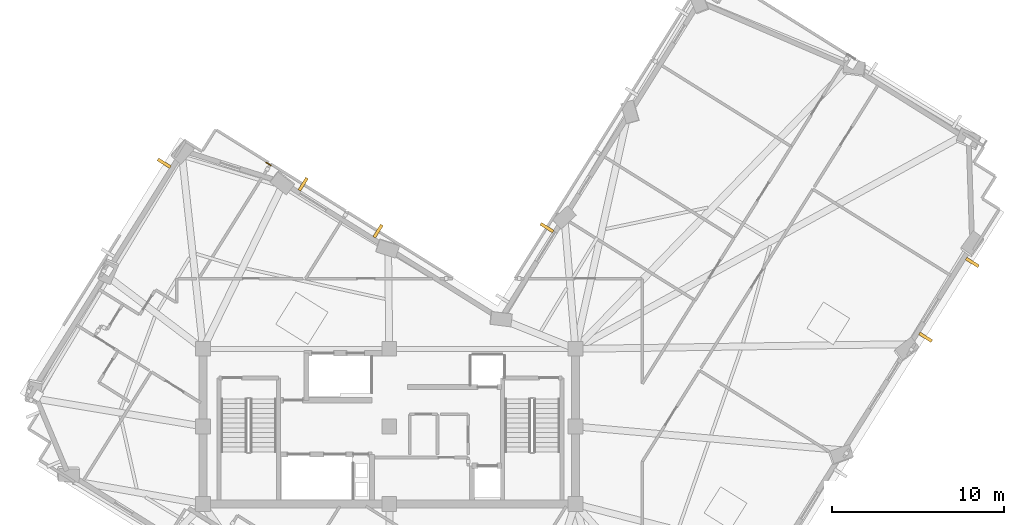
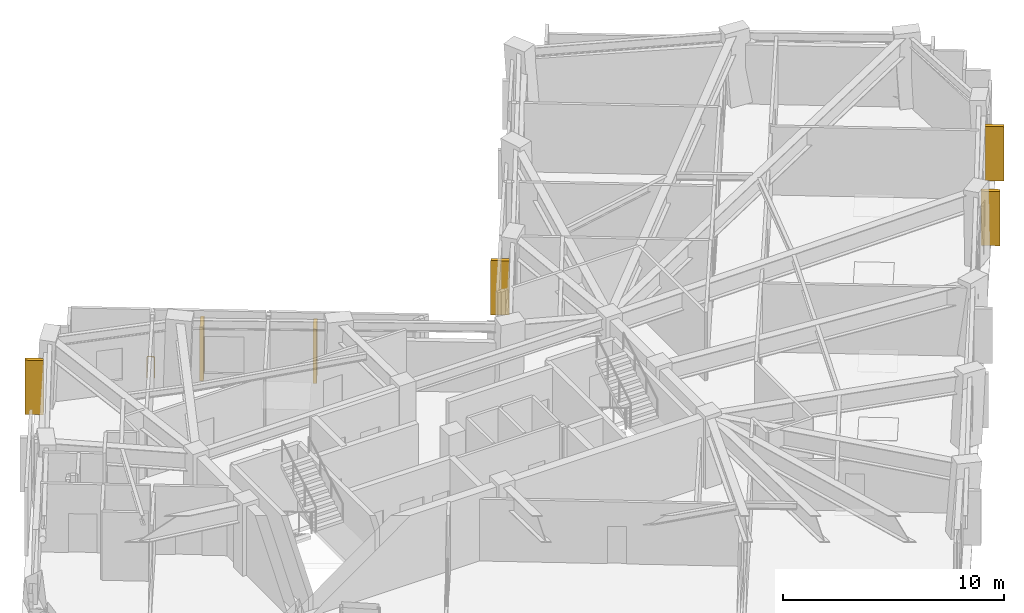
# One storey, part 11 of 12: 6 shading devices, 1 railing.
"""IFC4 building model written with IfcOpenShell, lengths in metres."""

import ifcopenshell
import ifcopenshell.guid

model = None  # the IFC model being written
_history = None  # IfcOwnerHistory: only IFC2X3 demands one
_inside = {}  # id of a spatial element -> (the spatial element, [elements in it])
_under = {}  # id of a project, library or spatial element -> (it, [spatial elements below it])
_declared = {}  # id of a project -> (the project, [libraries it declares])
_typed = {}  # id of a type object -> (the type object, [elements of that type])
_made_of = {}  # id of a material, layer set ... -> (it, [elements and type objects made of it])


def new_model(schema):
    """Start an empty IFC model of exactly this schema.

    Asked for "IFC4X3", IfcOpenShell would pick the latest addendum, in which some entities
    have other attributes; the version numbers below select the first issue.
    IFC2X3 requires an IfcOwnerHistory on every rooted entity: one is made here for all.
    """
    global model, _history
    if schema == "IFC4X3":
        model = ifcopenshell.file(schema_version=(4, 3, 0, 0))
    else:
        model = ifcopenshell.file(schema=schema)
    _inside.clear()
    _under.clear()
    _declared.clear()
    _typed.clear()
    _made_of.clear()
    _history = None
    if model.schema == "IFC2X3":
        org = make("IfcOrganization", Name="unknown")
        user = make(
            "IfcPersonAndOrganization",
            ThePerson=make("IfcPerson", FamilyName="unknown"),
            TheOrganization=org,
        )
        app = make(
            "IfcApplication",
            ApplicationDeveloper=org,
            Version="unknown",
            ApplicationFullName="unknown",
            ApplicationIdentifier="unknown",
        )
        _history = make(
            "IfcOwnerHistory",
            OwningUser=user,
            OwningApplication=app,
            ChangeAction="ADDED",
            CreationDate=0,
        )
    return model


def make(cls, **values):
    """One entity of the class cls with the attributes given. An attribute that is None is left unset."""
    return model.create_entity(
        cls, **{name: value for name, value in values.items() if value is not None}
    )


def rooted(cls, **values):
    """An entity with a GlobalId (a new one), such as an element, a storey or a relation."""
    return make(cls, GlobalId=ifcopenshell.guid.new(), OwnerHistory=_history, **values)


def si_unit(unit_type, name, prefix=None):
    """IfcSIUnit, for example si_unit("LENGTHUNIT", "METRE", prefix="MILLI")."""
    return make("IfcSIUnit", UnitType=unit_type, Prefix=prefix, Name=name)


def assignment(units):
    """IfcUnitAssignment: the units of a project."""
    return None if units is None else make("IfcUnitAssignment", Units=units)


def point(xyz):
    """IfcCartesianPoint."""
    return None if xyz is None else make("IfcCartesianPoint", Coordinates=xyz)


def direction(xyz):
    """IfcDirection."""
    return None if xyz is None else make("IfcDirection", DirectionRatios=xyz)


def frame(location, z_axis=None, x_axis=None):
    """IfcAxis2Placement3D, a coordinate frame: its origin and axes. An axis left out is left unset."""
    return make(
        "IfcAxis2Placement3D",
        Location=point(location),
        Axis=direction(z_axis),
        RefDirection=direction(x_axis),
    )


def frame_2d(location, x_axis=None):
    """IfcAxis2Placement2D, a coordinate frame in the plane: its origin and x axis."""
    return make(
        "IfcAxis2Placement2D", Location=point(location), RefDirection=direction(x_axis)
    )


def origin():
    """The frame at (0, 0, 0) with its axes left unset."""
    return frame((0.0, 0.0, 0.0))


def origin_2d():
    """The frame at (0, 0) in the plane with its x axis left unset."""
    return frame_2d((0.0, 0.0))


def place(relative_to, where):
    """IfcLocalPlacement: puts the frame where relative to a parent placement (None: the world)."""
    return make(
        "IfcLocalPlacement", PlacementRelTo=relative_to, RelativePlacement=where
    )


def context(
    kind, dimensions, precision=None, world=None, true_north=None, identifier=None
):
    """IfcGeometricRepresentationContext, for example the 3D "Model" context."""
    return make(
        "IfcGeometricRepresentationContext",
        ContextIdentifier=identifier,
        ContextType=kind,
        CoordinateSpaceDimension=dimensions,
        Precision=precision,
        WorldCoordinateSystem=world,
        TrueNorth=true_north,
    )


def subcontext(parent, identifier, kind, view, scale=None):
    """IfcGeometricRepresentationSubContext, for example "Body" below "Model"."""
    return make(
        "IfcGeometricRepresentationSubContext",
        ContextIdentifier=identifier,
        ContextType=kind,
        ParentContext=parent,
        TargetScale=scale,
        TargetView=view,
    )


def project(units=None, contexts=None):
    """IfcProject with its units and contexts."""
    return rooted(
        "IfcProject",
        Name="project",
        RepresentationContexts=contexts,
        UnitsInContext=assignment(units),
    )


def spatial(cls, under=None, at=None, **own):
    """A site, building, storey or space (cls), placed at a placement, below another one or the project."""
    s = rooted(cls, ObjectPlacement=at, **own)
    if under is not None:
        _under.setdefault(under.id(), (under, []))[1].append(s)
    return s


def profile(cls, at=None, kind="AREA", **sizes):
    """A parametric profile (cls). Its sizes go by their IFC names, for example OverallWidth=200.0."""
    return make(cls, ProfileType=kind, Position=at, **sizes)


def rectangle(**sizes):
    """IfcRectangleProfileDef."""
    return profile("IfcRectangleProfileDef", **sizes)


def circle(**sizes):
    """IfcCircleProfileDef."""
    return profile("IfcCircleProfileDef", **sizes)


def extrude(swept, where, along, depth):
    """IfcExtrudedAreaSolid: the profile swept, set in the frame where, extruded along a direction by depth."""
    return make(
        "IfcExtrudedAreaSolid",
        SweptArea=swept,
        Position=where,
        ExtrudedDirection=direction(along),
        Depth=depth,
    )


def shape(context_of_items, identifier, shape_type, items):
    """IfcShapeRepresentation: the items that make up one representation, for example the "Body"."""
    return make(
        "IfcShapeRepresentation",
        ContextOfItems=context_of_items,
        RepresentationIdentifier=identifier,
        RepresentationType=shape_type,
        Items=items,
    )


def material(Name=None, Category=None):
    """IfcMaterial."""
    return make("IfcMaterial", Name=Name, Category=Category)


def layer(
    of_material, thickness, ventilated=None, Name=None, Category=None, Priority=None
):
    """IfcMaterialLayer: one layer of a wall or slab, of a material (None: an air gap)."""
    return make(
        "IfcMaterialLayer",
        Material=of_material,
        LayerThickness=thickness,
        IsVentilated=ventilated,
        Name=Name,
        Category=Category,
        Priority=Priority,
    )


def layer_set(layers, Name=None):
    """IfcMaterialLayerSet."""
    return make("IfcMaterialLayerSet", MaterialLayers=layers, LayerSetName=Name)


def made_of(thing, what):
    """Note that an element or type object is made of a material, layer set ...; save() writes the relation."""
    if what is not None:
        _made_of.setdefault(what.id(), (what, []))[1].append(thing)
    return thing


def type_object(cls, material=None, **own):
    """A type object (cls), such as IfcWallType, which elements share."""
    return made_of(rooted(cls, **own), material)


def element(
    cls,
    number,
    at=None,
    inside=None,
    cuts=None,
    type_object=None,
    material=None,
    context=None,
    identifier="Body",
    shape_type=None,
    held_by="IfcProductDefinitionShape",
    body=None,
    shapes=None,
    **own,
):
    """One element of the class cls, such as IfcWall. Its Tag is "e" and its number.

    at: its placement. inside: the storey or other place that contains it. cuts: it is an
    opening in that element (IfcRelVoidsElement). A single representation is given by context,
    identifier, shape_type and body (its items); several are given by shapes. held_by: the class
    of the entity that holds the representations. save() writes the other relations.
    """
    e = rooted(cls, Tag="e%d" % number, ObjectPlacement=at, **own)
    if body is not None:
        shapes = [shape(context, identifier, shape_type, body)]
    if shapes is not None:
        e.Representation = make(held_by, Representations=shapes)
    if inside is not None:
        _inside.setdefault(inside.id(), (inside, []))[1].append(e)
    if cuts is not None:
        rooted(
            "IfcRelVoidsElement", RelatingBuildingElement=cuts, RelatedOpeningElement=e
        )
    if type_object is not None:
        _typed.setdefault(type_object.id(), (type_object, []))[1].append(e)
    return made_of(e, material)


def aggregate(whole, parts):
    """IfcRelAggregates: a whole, such as a stair, and the parts it consists of."""
    return rooted("IfcRelAggregates", RelatingObject=whole, RelatedObjects=parts)


def save(model, path):
    """Write the relations noted so far, then the file.

    IfcRelAggregates (storeys below a building ...), IfcRelContainedInSpatialStructure (elements
    in a storey), IfcRelDefinesByType, IfcRelAssociatesMaterial and IfcRelDeclares: one each for
    every whole, place, type object, material and project.
    """
    for whole, parts in _under.values():
        aggregate(whole, parts)
    for where, things in _inside.values():
        rooted(
            "IfcRelContainedInSpatialStructure",
            RelatedElements=things,
            RelatingStructure=where,
        )
    for kind, things in _typed.values():
        rooted("IfcRelDefinesByType", RelatedObjects=things, RelatingType=kind)
    for what, things in _made_of.values():
        rooted("IfcRelAssociatesMaterial", RelatedObjects=things, RelatingMaterial=what)
    for by, libraries in _declared.values():
        rooted("IfcRelDeclares", RelatingContext=by, RelatedDefinitions=libraries)
    model.write(path)


model = new_model("IFC4")

# Units and contexts
model_context = context("Model", 3, precision=1e-05, world=origin(), true_north=direction((0.0, 1.0)))
body_context = subcontext(model_context, "Body", "Model", "MODEL_VIEW")
ifc_project = project(units=[si_unit("LENGTHUNIT", "METRE"), si_unit("AREAUNIT", "SQUARE_METRE"), si_unit("VOLUMEUNIT", "CUBIC_METRE"), si_unit("PLANEANGLEUNIT", "RADIAN"), si_unit("MASSUNIT", "GRAM", prefix="KILO")], contexts=[model_context])

# Site, building, storey
site_placement = place(None, origin())
site = spatial("IfcSite", under=ifc_project, at=site_placement, CompositionType="ELEMENT")
building_placement = place(site_placement, origin())
building = spatial("IfcBuilding", under=site, at=building_placement, Name="Gaonmaruhae Medical Tower", CompositionType="ELEMENT")
storey_placement = place(building_placement, frame((0.0, 0.0, 272.60009765625)))
storey = spatial("IfcBuildingStorey", under=building, at=storey_placement, Name="L65", CompositionType="ELEMENT", Elevation=272.60009765625)

# Railing
ifc_material_1 = material(Name="Stainless steel 316L and laminated safety glass", Category="steel")
ifc_layer = layer(ifc_material_1, 0.080078125)
ifc_layer_set = layer_set([ifc_layer], Name="Stainless steel 316L and laminated safety glass")
railing_type = type_object("IfcRailingType", Name="GD-120 Outdoor Terrace Safety Glass & Steel Balustrade", PredefinedType="BALUSTRADE", material=ifc_layer_set)
railing_placement = place(storey_placement, frame((17.66015625, 27.6181640625, 0.0)))
element("IfcRailing", 1, at=railing_placement, inside=storey, type_object=railing_type, Name="L65 Perimeter Slab Edge Safety Balustrade 01", PredefinedType="BALUSTRADE", context=body_context, shape_type="SweptSolid", body=[
    extrude(circle(Radius=0.02392578125, at=origin_2d()), frame((0.0, 0.0, 1.17578125), z_axis=(0.847674185418, -0.530517177268, 0.0), x_axis=(0.530517177268, 0.847674185418, 0.0)), (0.0, 0.0, 1.0), 0.338623046875),
    extrude(circle(Radius=0.02099609375, at=origin_2d()), origin(), (0.0, 0.0, 1.0), 1.15185546875),
    extrude(circle(Radius=0.02099609375, at=origin_2d()), frame((0.287109375, -0.1796875, 0.0)), (0.0, 0.0, 1.0), 1.15185546875),
])

# Shading devices
ifc_material_2 = material(Name="Pigmented coral precast concrete C45/55", Category="concrete")
shading_device_type = type_object("IfcShadingDeviceType", Name="SD-FIN1 Tower Vertical Coral Precast Shading Fin", PredefinedType="USERDEFINED", material=ifc_material_2)
for number, where, z_axis, x_axis, name in (
    (2, (58.62451171875, 21.813720703125, 0.13232421875), (0.0, 0.0, 1.0), (-0.530659123936, -0.847585331506, 0.0), "L65 Vertical Coral Precast Shading Fin S05"),
    (3, (55.908203125, 17.475341796875, 0.13232421875), (0.0, 0.0, 1.0), (-0.530659123936, -0.847585331506, 0.0), "L65 Vertical Coral Precast Shading Fin S05B"),
    (4, (33.944580078125, 23.83349609375, 0.13232421875), (0.0, 0.0, 1.0), (0.530659123936, 0.847585331506, 0.0), "L65 Vertical Coral Precast Shading Fin EN02B"),
    (5, (19.80712890625, 26.3505859375, 0.13232421875), (0.0, 0.0, 1.0), (0.847585331506, -0.530659123936, 0.0), "L65 Vertical Coral Precast Shading Fin NE01"),
    (6, (24.150390625, 23.631591796875, 0.13232421875), (0.0, 0.0, 1.0), (0.847585331506, -0.530659123936, 0.0), "L65 Vertical Coral Precast Shading Fin NE01B"),
    (7, (11.74267578125, 27.568359375, 0.13232421875), (0.0, 0.0, 1.0), (0.530659123936, 0.847585331506, 0.0), "L65 Vertical Coral Precast Shading Fin N01B"),
):
    element("IfcShadingDevice", number, at=place(storey_placement, frame(where, z_axis=z_axis, x_axis=x_axis)), inside=storey, type_object=shading_device_type, Name=name, ObjectType="FIN", PredefinedType="USERDEFINED", context=body_context, shape_type="SweptSolid", body=[
        extrude(rectangle(XDim=0.179931640625, YDim=0.85009765625, at=origin_2d()), origin(), (0.0, 0.0, 1.0), 3.0),
    ])

save(model, "model.ifc")
